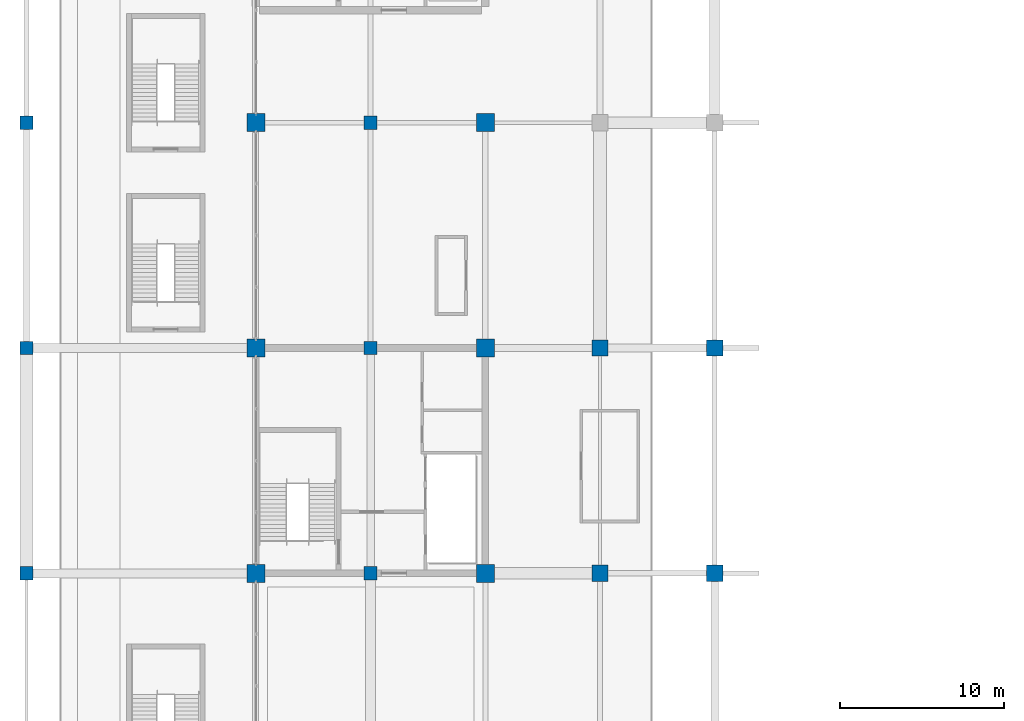
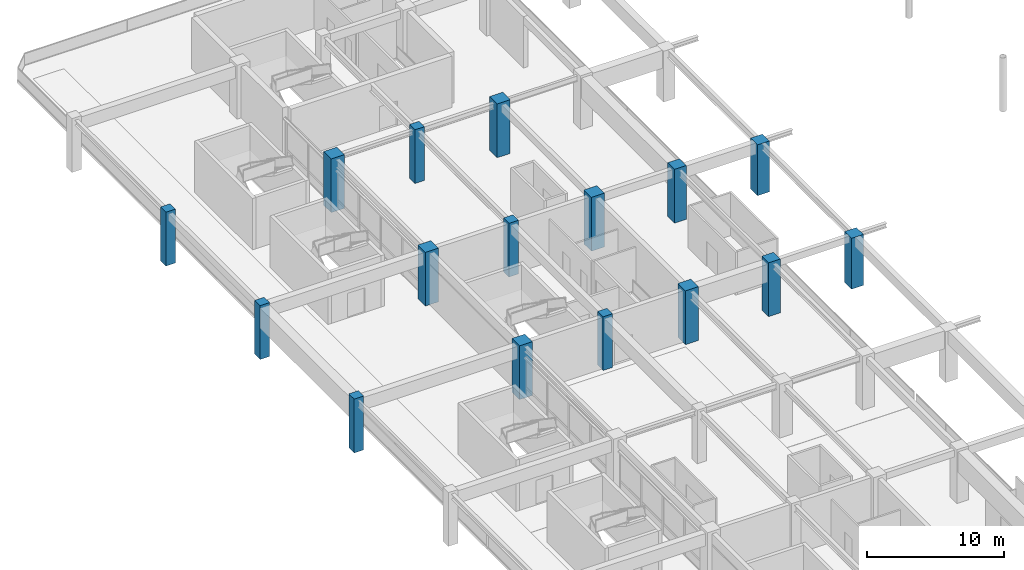
# One storey, part 6 of 91: 16 columns.
"""IFC4 building model written with IfcOpenShell, lengths in metres."""

import ifcopenshell
import ifcopenshell.guid

model = None  # the IFC model being written
_history = None  # IfcOwnerHistory: only IFC2X3 demands one
_inside = {}  # id of a spatial element -> (the spatial element, [elements in it])
_under = {}  # id of a project, library or spatial element -> (it, [spatial elements below it])
_declared = {}  # id of a project -> (the project, [libraries it declares])
_typed = {}  # id of a type object -> (the type object, [elements of that type])
_made_of = {}  # id of a material, layer set ... -> (it, [elements and type objects made of it])


def new_model(schema):
    """Start an empty IFC model of exactly this schema.

    Asked for "IFC4X3", IfcOpenShell would pick the latest addendum, in which some entities
    have other attributes; the version numbers below select the first issue.
    IFC2X3 requires an IfcOwnerHistory on every rooted entity: one is made here for all.
    """
    global model, _history
    if schema == "IFC4X3":
        model = ifcopenshell.file(schema_version=(4, 3, 0, 0))
    else:
        model = ifcopenshell.file(schema=schema)
    _inside.clear()
    _under.clear()
    _declared.clear()
    _typed.clear()
    _made_of.clear()
    _history = None
    if model.schema == "IFC2X3":
        org = make("IfcOrganization", Name="unknown")
        user = make(
            "IfcPersonAndOrganization",
            ThePerson=make("IfcPerson", FamilyName="unknown"),
            TheOrganization=org,
        )
        app = make(
            "IfcApplication",
            ApplicationDeveloper=org,
            Version="unknown",
            ApplicationFullName="unknown",
            ApplicationIdentifier="unknown",
        )
        _history = make(
            "IfcOwnerHistory",
            OwningUser=user,
            OwningApplication=app,
            ChangeAction="ADDED",
            CreationDate=0,
        )
    return model


def make(cls, **values):
    """One entity of the class cls with the attributes given. An attribute that is None is left unset."""
    return model.create_entity(
        cls, **{name: value for name, value in values.items() if value is not None}
    )


def rooted(cls, **values):
    """An entity with a GlobalId (a new one), such as an element, a storey or a relation."""
    return make(cls, GlobalId=ifcopenshell.guid.new(), OwnerHistory=_history, **values)


def si_unit(unit_type, name, prefix=None):
    """IfcSIUnit, for example si_unit("LENGTHUNIT", "METRE", prefix="MILLI")."""
    return make("IfcSIUnit", UnitType=unit_type, Prefix=prefix, Name=name)


def assignment(units):
    """IfcUnitAssignment: the units of a project."""
    return None if units is None else make("IfcUnitAssignment", Units=units)


def point(xyz):
    """IfcCartesianPoint."""
    return None if xyz is None else make("IfcCartesianPoint", Coordinates=xyz)


def direction(xyz):
    """IfcDirection."""
    return None if xyz is None else make("IfcDirection", DirectionRatios=xyz)


def frame(location, z_axis=None, x_axis=None):
    """IfcAxis2Placement3D, a coordinate frame: its origin and axes. An axis left out is left unset."""
    return make(
        "IfcAxis2Placement3D",
        Location=point(location),
        Axis=direction(z_axis),
        RefDirection=direction(x_axis),
    )


def frame_2d(location, x_axis=None):
    """IfcAxis2Placement2D, a coordinate frame in the plane: its origin and x axis."""
    return make(
        "IfcAxis2Placement2D", Location=point(location), RefDirection=direction(x_axis)
    )


def origin():
    """The frame at (0, 0, 0) with its axes left unset."""
    return frame((0.0, 0.0, 0.0))


def origin_2d():
    """The frame at (0, 0) in the plane with its x axis left unset."""
    return frame_2d((0.0, 0.0))


def place(relative_to, where):
    """IfcLocalPlacement: puts the frame where relative to a parent placement (None: the world)."""
    return make(
        "IfcLocalPlacement", PlacementRelTo=relative_to, RelativePlacement=where
    )


def context(
    kind, dimensions, precision=None, world=None, true_north=None, identifier=None
):
    """IfcGeometricRepresentationContext, for example the 3D "Model" context."""
    return make(
        "IfcGeometricRepresentationContext",
        ContextIdentifier=identifier,
        ContextType=kind,
        CoordinateSpaceDimension=dimensions,
        Precision=precision,
        WorldCoordinateSystem=world,
        TrueNorth=true_north,
    )


def subcontext(parent, identifier, kind, view, scale=None):
    """IfcGeometricRepresentationSubContext, for example "Body" below "Model"."""
    return make(
        "IfcGeometricRepresentationSubContext",
        ContextIdentifier=identifier,
        ContextType=kind,
        ParentContext=parent,
        TargetScale=scale,
        TargetView=view,
    )


def project(units=None, contexts=None):
    """IfcProject with its units and contexts."""
    return rooted(
        "IfcProject",
        Name="project",
        RepresentationContexts=contexts,
        UnitsInContext=assignment(units),
    )


def spatial(cls, under=None, at=None, **own):
    """A site, building, storey or space (cls), placed at a placement, below another one or the project."""
    s = rooted(cls, ObjectPlacement=at, **own)
    if under is not None:
        _under.setdefault(under.id(), (under, []))[1].append(s)
    return s


def profile(cls, at=None, kind="AREA", **sizes):
    """A parametric profile (cls). Its sizes go by their IFC names, for example OverallWidth=200.0."""
    return make(cls, ProfileType=kind, Position=at, **sizes)


def rectangle(**sizes):
    """IfcRectangleProfileDef."""
    return profile("IfcRectangleProfileDef", **sizes)


def extrude(swept, where, along, depth):
    """IfcExtrudedAreaSolid: the profile swept, set in the frame where, extruded along a direction by depth."""
    return make(
        "IfcExtrudedAreaSolid",
        SweptArea=swept,
        Position=where,
        ExtrudedDirection=direction(along),
        Depth=depth,
    )


def shape(context_of_items, identifier, shape_type, items):
    """IfcShapeRepresentation: the items that make up one representation, for example the "Body"."""
    return make(
        "IfcShapeRepresentation",
        ContextOfItems=context_of_items,
        RepresentationIdentifier=identifier,
        RepresentationType=shape_type,
        Items=items,
    )


def material(Name=None, Category=None):
    """IfcMaterial."""
    return make("IfcMaterial", Name=Name, Category=Category)


def material_profile(
    of_material, cross_section, Name=None, Category=None, Priority=None
):
    """IfcMaterialProfile: a cross section and its material."""
    return make(
        "IfcMaterialProfile",
        Name=Name,
        Material=of_material,
        Profile=cross_section,
        Priority=Priority,
        Category=Category,
    )


def profile_set(profiles, Name=None, composite=None):
    """IfcMaterialProfileSet."""
    return make(
        "IfcMaterialProfileSet",
        Name=Name,
        MaterialProfiles=profiles,
        CompositeProfile=composite,
    )


def made_of(thing, what):
    """Note that an element or type object is made of a material, layer set ...; save() writes the relation."""
    if what is not None:
        _made_of.setdefault(what.id(), (what, []))[1].append(thing)
    return thing


def type_object(cls, material=None, **own):
    """A type object (cls), such as IfcWallType, which elements share."""
    return made_of(rooted(cls, **own), material)


def element(
    cls,
    number,
    at=None,
    inside=None,
    cuts=None,
    type_object=None,
    material=None,
    context=None,
    identifier="Body",
    shape_type=None,
    held_by="IfcProductDefinitionShape",
    body=None,
    shapes=None,
    **own,
):
    """One element of the class cls, such as IfcWall. Its Tag is "e" and its number.

    at: its placement. inside: the storey or other place that contains it. cuts: it is an
    opening in that element (IfcRelVoidsElement). A single representation is given by context,
    identifier, shape_type and body (its items); several are given by shapes. held_by: the class
    of the entity that holds the representations. save() writes the other relations.
    """
    e = rooted(cls, Tag="e%d" % number, ObjectPlacement=at, **own)
    if body is not None:
        shapes = [shape(context, identifier, shape_type, body)]
    if shapes is not None:
        e.Representation = make(held_by, Representations=shapes)
    if inside is not None:
        _inside.setdefault(inside.id(), (inside, []))[1].append(e)
    if cuts is not None:
        rooted(
            "IfcRelVoidsElement", RelatingBuildingElement=cuts, RelatedOpeningElement=e
        )
    if type_object is not None:
        _typed.setdefault(type_object.id(), (type_object, []))[1].append(e)
    return made_of(e, material)


def aggregate(whole, parts):
    """IfcRelAggregates: a whole, such as a stair, and the parts it consists of."""
    return rooted("IfcRelAggregates", RelatingObject=whole, RelatedObjects=parts)


def save(model, path):
    """Write the relations noted so far, then the file.

    IfcRelAggregates (storeys below a building ...), IfcRelContainedInSpatialStructure (elements
    in a storey), IfcRelDefinesByType, IfcRelAssociatesMaterial and IfcRelDeclares: one each for
    every whole, place, type object, material and project.
    """
    for whole, parts in _under.values():
        aggregate(whole, parts)
    for where, things in _inside.values():
        rooted(
            "IfcRelContainedInSpatialStructure",
            RelatedElements=things,
            RelatingStructure=where,
        )
    for kind, things in _typed.values():
        rooted("IfcRelDefinesByType", RelatedObjects=things, RelatingType=kind)
    for what, things in _made_of.values():
        rooted("IfcRelAssociatesMaterial", RelatedObjects=things, RelatingMaterial=what)
    for by, libraries in _declared.values():
        rooted("IfcRelDeclares", RelatingContext=by, RelatedDefinitions=libraries)
    model.write(path)


model = new_model("IFC4")

# Units and contexts
model_context = context("Model", 3, precision=1e-05, world=origin(), true_north=direction((0.0, 1.0)))
body_context = subcontext(model_context, "Body", "Model", "MODEL_VIEW")
ifc_project = project(units=[si_unit("LENGTHUNIT", "METRE"), si_unit("AREAUNIT", "SQUARE_METRE"), si_unit("VOLUMEUNIT", "CUBIC_METRE"), si_unit("PLANEANGLEUNIT", "RADIAN"), si_unit("MASSUNIT", "GRAM", prefix="KILO")], contexts=[model_context])

# Site, building, storey
site_placement = place(None, origin())
site = spatial("IfcSite", under=ifc_project, at=site_placement, CompositionType="ELEMENT")
building_placement = place(site_placement, origin())
building = spatial("IfcBuilding", under=site, at=building_placement, Name="Linyun Crest Stadium", CompositionType="ELEMENT")
storey_placement = place(building_placement, frame((0.0, 0.0, 11.39990234375)))
storey = spatial("IfcBuildingStorey", under=building, at=storey_placement, Name="L03", CompositionType="ELEMENT", Elevation=11.39990234375)

# Columns
ifc_material_1 = material(Name="Concrete C50", Category="concrete")
ifc_material_profile_1 = material_profile(ifc_material_1, rectangle(XDim=0.800048828125, YDim=0.800048828125, at=origin_2d()), Name="RC 800x800")
ifc_profile_set_1 = profile_set([ifc_material_profile_1], Name="Concrete C50")
column_type_1 = type_object("IfcColumnType", Name="C03", PredefinedType="COLUMN", material=ifc_profile_set_1)
for number, where, z_axis, x_axis, name in (
    (1, (-98.0, 2.125, 0.0), (0.0, 0.0, 1.0), (1.0, 0.0, 0.0), "Column C03 L03 28"),
    (2, (-98.0, 15.875, 0.0), (0.0, 0.0, 1.0), (1.0, 0.0, 0.0), "Column C03 L03 34"),
    (3, (-98.0, 29.625, 0.0), (0.0, 0.0, 1.0), (1.0, 0.0, 0.0), "Column C03 L03 40"),
    (4, (-77.0, 2.125, 0.0), (0.0, 0.0, 1.0), (1.0, 0.0, 0.0), "Column C03 L03 128"),
    (5, (-77.0, 15.875, 0.0), (0.0, 0.0, 1.0), (1.0, 0.0, 0.0), "Column C03 L03 133"),
    (6, (-77.0, 29.625, 0.0), (0.0, 0.0, 1.0), (1.0, 0.0, 0.0), "Column C03 L03 138"),
):
    element("IfcColumn", number, at=place(storey_placement, frame(where, z_axis=z_axis, x_axis=x_axis)), inside=storey, type_object=column_type_1, Name=name, PredefinedType="COLUMN", context=body_context, shape_type="SweptSolid", body=[
        extrude(rectangle(XDim=0.800048828125, YDim=0.800048828125, at=origin_2d()), origin(), (0.0, 0.0, 1.0), 4.798095703125),
    ])
ifc_material_2 = material(Name="Concrete C50", Category="concrete")
ifc_material_profile_2 = material_profile(ifc_material_2, rectangle(XDim=1.0, YDim=1.0, at=origin_2d()), Name="RC 1000x1000")
ifc_profile_set_2 = profile_set([ifc_material_profile_2], Name="Concrete C50")
column_type_2 = type_object("IfcColumnType", Name="C05", PredefinedType="COLUMN", material=ifc_profile_set_2)
for number, where, z_axis, x_axis, name in (
    (7, (-63.0, 2.125, 0.0), (0.0, 0.0, 1.0), (1.0, 0.0, 0.0), "Column C05 L03 224"),
    (8, (-63.0, 15.875, 0.0), (0.0, 0.0, 1.0), (1.0, 0.0, 0.0), "Column C05 L03 229"),
):
    element("IfcColumn", number, at=place(storey_placement, frame(where, z_axis=z_axis, x_axis=x_axis)), inside=storey, type_object=column_type_2, Name=name, PredefinedType="COLUMN", context=body_context, shape_type="SweptSolid", body=[
        extrude(rectangle(XDim=1.0, YDim=1.0, at=origin_2d()), origin(), (0.0, 0.0, 1.0), 4.798095703125),
    ])
for number, where, z_axis, x_axis, name in (
    (9, (-56.0, 2.125, 0.0), (0.0, 0.0, 1.0), (1.0, 0.0, 0.0), "Column C05 L03 260"),
    (10, (-56.0, 15.875, 0.0), (0.0, 0.0, 1.0), (1.0, 0.0, 0.0), "Column C05 L03 264"),
):
    element("IfcColumn", number, at=place(storey_placement, frame(where, z_axis=z_axis, x_axis=x_axis)), inside=storey, type_object=column_type_2, Name=name, PredefinedType="COLUMN", context=body_context, shape_type="SweptSolid", body=[
        extrude(rectangle(XDim=1.0, YDim=1.0, at=origin_2d()), origin(), (0.0, 0.0, 1.0), 4.5400390625),
    ])
ifc_material_3 = material(Name="Concrete C50", Category="concrete")
ifc_material_profile_3 = material_profile(ifc_material_3, rectangle(XDim=1.10009765625, YDim=1.10009765625, at=origin_2d()), Name="RC 1100x1100")
ifc_profile_set_3 = profile_set([ifc_material_profile_3], Name="Concrete C50")
column_type_3 = type_object("IfcColumnType", Name="C06", PredefinedType="COLUMN", material=ifc_profile_set_3)
for number, where, z_axis, x_axis, name in (
    (11, (-84.0, 2.125, 0.0), (0.0, 0.0, 1.0), (1.0, 0.0, 0.0), "Column C06 L03 80"),
    (12, (-84.0, 15.875, 0.0), (0.0, 0.0, 1.0), (1.0, 0.0, 0.0), "Column C06 L03 87"),
    (13, (-84.0, 29.625, 0.0), (0.0, 0.0, 1.0), (1.0, 0.0, 0.0), "Column C06 L03 94"),
    (14, (-70.0, 2.125, 0.0), (0.0, 0.0, 1.0), (1.0, 0.0, 0.0), "Column C06 L03 176"),
    (15, (-70.0, 15.875, 0.0), (0.0, 0.0, 1.0), (1.0, 0.0, 0.0), "Column C06 L03 183"),
    (16, (-70.0, 29.625, 0.0), (0.0, 0.0, 1.0), (1.0, 0.0, 0.0), "Column C06 L03 190"),
):
    element("IfcColumn", number, at=place(storey_placement, frame(where, z_axis=z_axis, x_axis=x_axis)), inside=storey, type_object=column_type_3, Name=name, PredefinedType="COLUMN", context=body_context, shape_type="SweptSolid", body=[
        extrude(rectangle(XDim=1.10009765625, YDim=1.10009765625, at=origin_2d()), origin(), (0.0, 0.0, 1.0), 4.798095703125),
    ])

save(model, "model.ifc")
